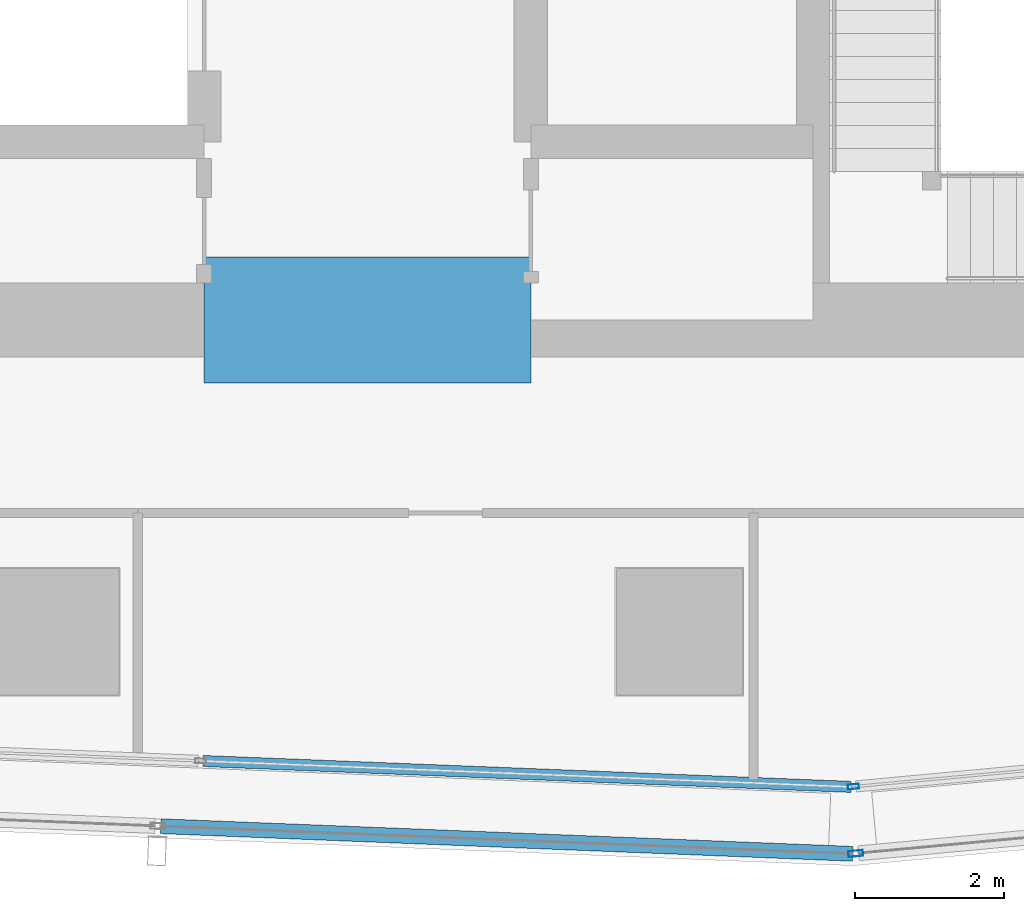
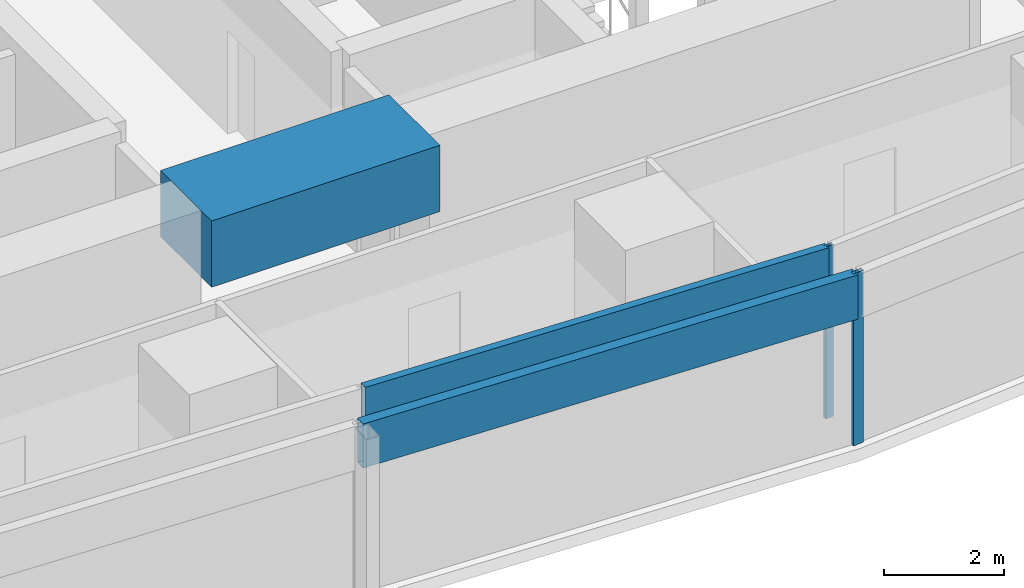
# One storey, part 10 of 39: 4 members, 1 beam, 4 elements without a shape of their own.
"""IFC4 building model written with IfcOpenShell, lengths in metres."""

import ifcopenshell
import ifcopenshell.guid

model = None  # the IFC model being written
_history = None  # IfcOwnerHistory: only IFC2X3 demands one
_inside = {}  # id of a spatial element -> (the spatial element, [elements in it])
_under = {}  # id of a project, library or spatial element -> (it, [spatial elements below it])
_declared = {}  # id of a project -> (the project, [libraries it declares])
_typed = {}  # id of a type object -> (the type object, [elements of that type])
_made_of = {}  # id of a material, layer set ... -> (it, [elements and type objects made of it])


def new_model(schema):
    """Start an empty IFC model of exactly this schema.

    Asked for "IFC4X3", IfcOpenShell would pick the latest addendum, in which some entities
    have other attributes; the version numbers below select the first issue.
    IFC2X3 requires an IfcOwnerHistory on every rooted entity: one is made here for all.
    """
    global model, _history
    if schema == "IFC4X3":
        model = ifcopenshell.file(schema_version=(4, 3, 0, 0))
    else:
        model = ifcopenshell.file(schema=schema)
    _inside.clear()
    _under.clear()
    _declared.clear()
    _typed.clear()
    _made_of.clear()
    _history = None
    if model.schema == "IFC2X3":
        org = make("IfcOrganization", Name="unknown")
        user = make(
            "IfcPersonAndOrganization",
            ThePerson=make("IfcPerson", FamilyName="unknown"),
            TheOrganization=org,
        )
        app = make(
            "IfcApplication",
            ApplicationDeveloper=org,
            Version="unknown",
            ApplicationFullName="unknown",
            ApplicationIdentifier="unknown",
        )
        _history = make(
            "IfcOwnerHistory",
            OwningUser=user,
            OwningApplication=app,
            ChangeAction="ADDED",
            CreationDate=0,
        )
    return model


def make(cls, **values):
    """One entity of the class cls with the attributes given. An attribute that is None is left unset."""
    return model.create_entity(
        cls, **{name: value for name, value in values.items() if value is not None}
    )


def rooted(cls, **values):
    """An entity with a GlobalId (a new one), such as an element, a storey or a relation."""
    return make(cls, GlobalId=ifcopenshell.guid.new(), OwnerHistory=_history, **values)


def si_unit(unit_type, name, prefix=None):
    """IfcSIUnit, for example si_unit("LENGTHUNIT", "METRE", prefix="MILLI")."""
    return make("IfcSIUnit", UnitType=unit_type, Prefix=prefix, Name=name)


def assignment(units):
    """IfcUnitAssignment: the units of a project."""
    return None if units is None else make("IfcUnitAssignment", Units=units)


def point(xyz):
    """IfcCartesianPoint."""
    return None if xyz is None else make("IfcCartesianPoint", Coordinates=xyz)


def direction(xyz):
    """IfcDirection."""
    return None if xyz is None else make("IfcDirection", DirectionRatios=xyz)


def frame(location, z_axis=None, x_axis=None):
    """IfcAxis2Placement3D, a coordinate frame: its origin and axes. An axis left out is left unset."""
    return make(
        "IfcAxis2Placement3D",
        Location=point(location),
        Axis=direction(z_axis),
        RefDirection=direction(x_axis),
    )


def frame_2d(location, x_axis=None):
    """IfcAxis2Placement2D, a coordinate frame in the plane: its origin and x axis."""
    return make(
        "IfcAxis2Placement2D", Location=point(location), RefDirection=direction(x_axis)
    )


def origin():
    """The frame at (0, 0, 0) with its axes left unset."""
    return frame((0.0, 0.0, 0.0))


def origin_2d():
    """The frame at (0, 0) in the plane with its x axis left unset."""
    return frame_2d((0.0, 0.0))


def place(relative_to, where):
    """IfcLocalPlacement: puts the frame where relative to a parent placement (None: the world)."""
    return make(
        "IfcLocalPlacement", PlacementRelTo=relative_to, RelativePlacement=where
    )


def context(
    kind, dimensions, precision=None, world=None, true_north=None, identifier=None
):
    """IfcGeometricRepresentationContext, for example the 3D "Model" context."""
    return make(
        "IfcGeometricRepresentationContext",
        ContextIdentifier=identifier,
        ContextType=kind,
        CoordinateSpaceDimension=dimensions,
        Precision=precision,
        WorldCoordinateSystem=world,
        TrueNorth=true_north,
    )


def subcontext(parent, identifier, kind, view, scale=None):
    """IfcGeometricRepresentationSubContext, for example "Body" below "Model"."""
    return make(
        "IfcGeometricRepresentationSubContext",
        ContextIdentifier=identifier,
        ContextType=kind,
        ParentContext=parent,
        TargetScale=scale,
        TargetView=view,
    )


def project(units=None, contexts=None):
    """IfcProject with its units and contexts."""
    return rooted(
        "IfcProject",
        Name="project",
        RepresentationContexts=contexts,
        UnitsInContext=assignment(units),
    )


def spatial(cls, under=None, at=None, **own):
    """A site, building, storey or space (cls), placed at a placement, below another one or the project."""
    s = rooted(cls, ObjectPlacement=at, **own)
    if under is not None:
        _under.setdefault(under.id(), (under, []))[1].append(s)
    return s


def profile(cls, at=None, kind="AREA", **sizes):
    """A parametric profile (cls). Its sizes go by their IFC names, for example OverallWidth=200.0."""
    return make(cls, ProfileType=kind, Position=at, **sizes)


def rectangle(**sizes):
    """IfcRectangleProfileDef."""
    return profile("IfcRectangleProfileDef", **sizes)


def hollow_rectangle(**sizes):
    """IfcRectangleHollowProfileDef."""
    return profile("IfcRectangleHollowProfileDef", **sizes)


def extrude(swept, where, along, depth):
    """IfcExtrudedAreaSolid: the profile swept, set in the frame where, extruded along a direction by depth."""
    return make(
        "IfcExtrudedAreaSolid",
        SweptArea=swept,
        Position=where,
        ExtrudedDirection=direction(along),
        Depth=depth,
    )


def shape(context_of_items, identifier, shape_type, items):
    """IfcShapeRepresentation: the items that make up one representation, for example the "Body"."""
    return make(
        "IfcShapeRepresentation",
        ContextOfItems=context_of_items,
        RepresentationIdentifier=identifier,
        RepresentationType=shape_type,
        Items=items,
    )


def material(Name=None, Category=None):
    """IfcMaterial."""
    return make("IfcMaterial", Name=Name, Category=Category)


def material_profile(
    of_material, cross_section, Name=None, Category=None, Priority=None
):
    """IfcMaterialProfile: a cross section and its material."""
    return make(
        "IfcMaterialProfile",
        Name=Name,
        Material=of_material,
        Profile=cross_section,
        Priority=Priority,
        Category=Category,
    )


def profile_set(profiles, Name=None, composite=None):
    """IfcMaterialProfileSet."""
    return make(
        "IfcMaterialProfileSet",
        Name=Name,
        MaterialProfiles=profiles,
        CompositeProfile=composite,
    )


def made_of(thing, what):
    """Note that an element or type object is made of a material, layer set ...; save() writes the relation."""
    if what is not None:
        _made_of.setdefault(what.id(), (what, []))[1].append(thing)
    return thing


def type_object(cls, material=None, **own):
    """A type object (cls), such as IfcWallType, which elements share."""
    return made_of(rooted(cls, **own), material)


def element(
    cls,
    number,
    at=None,
    inside=None,
    cuts=None,
    type_object=None,
    material=None,
    context=None,
    identifier="Body",
    shape_type=None,
    held_by="IfcProductDefinitionShape",
    body=None,
    shapes=None,
    **own,
):
    """One element of the class cls, such as IfcWall. Its Tag is "e" and its number.

    at: its placement. inside: the storey or other place that contains it. cuts: it is an
    opening in that element (IfcRelVoidsElement). A single representation is given by context,
    identifier, shape_type and body (its items); several are given by shapes. held_by: the class
    of the entity that holds the representations. save() writes the other relations.
    """
    e = rooted(cls, Tag="e%d" % number, ObjectPlacement=at, **own)
    if body is not None:
        shapes = [shape(context, identifier, shape_type, body)]
    if shapes is not None:
        e.Representation = make(held_by, Representations=shapes)
    if inside is not None:
        _inside.setdefault(inside.id(), (inside, []))[1].append(e)
    if cuts is not None:
        rooted(
            "IfcRelVoidsElement", RelatingBuildingElement=cuts, RelatedOpeningElement=e
        )
    if type_object is not None:
        _typed.setdefault(type_object.id(), (type_object, []))[1].append(e)
    return made_of(e, material)


def aggregate(whole, parts):
    """IfcRelAggregates: a whole, such as a stair, and the parts it consists of."""
    return rooted("IfcRelAggregates", RelatingObject=whole, RelatedObjects=parts)


def save(model, path):
    """Write the relations noted so far, then the file.

    IfcRelAggregates (storeys below a building ...), IfcRelContainedInSpatialStructure (elements
    in a storey), IfcRelDefinesByType, IfcRelAssociatesMaterial and IfcRelDeclares: one each for
    every whole, place, type object, material and project.
    """
    for whole, parts in _under.values():
        aggregate(whole, parts)
    for where, things in _inside.values():
        rooted(
            "IfcRelContainedInSpatialStructure",
            RelatedElements=things,
            RelatingStructure=where,
        )
    for kind, things in _typed.values():
        rooted("IfcRelDefinesByType", RelatedObjects=things, RelatingType=kind)
    for what, things in _made_of.values():
        rooted("IfcRelAssociatesMaterial", RelatedObjects=things, RelatingMaterial=what)
    for by, libraries in _declared.values():
        rooted("IfcRelDeclares", RelatingContext=by, RelatedDefinitions=libraries)
    model.write(path)


model = new_model("IFC4")

# Units and contexts
model_context = context("Model", 3, precision=1e-05, world=origin(), true_north=direction((0.0, 1.0)))
body_context = subcontext(model_context, "Body", "Model", "MODEL_VIEW")
ifc_project = project(units=[si_unit("LENGTHUNIT", "METRE"), si_unit("AREAUNIT", "SQUARE_METRE"), si_unit("VOLUMEUNIT", "CUBIC_METRE"), si_unit("PLANEANGLEUNIT", "RADIAN"), si_unit("MASSUNIT", "GRAM", prefix="KILO")], contexts=[model_context])

# Site, building, storey
site_placement = place(None, origin())
site = spatial("IfcSite", under=ifc_project, at=site_placement, CompositionType="ELEMENT")
building_placement = place(site_placement, origin())
building = spatial("IfcBuilding", under=site, at=building_placement, Name="Rekha Terrace Tower", CompositionType="ELEMENT")
storey_placement = place(building_placement, frame((0.0, 0.0, 180.199951171875)))
storey = spatial("IfcBuildingStorey", under=building, at=storey_placement, Name="L45", CompositionType="ELEMENT", Elevation=180.199951171875)

# Curtain wall, member
ifc_material_1 = material(Name="Aluminium framing", Category="aluminium")
curtain_wall_type_1 = type_object("IfcCurtainWallType", Name="CW1 double skin inner glazing", PredefinedType="USERDEFINED", material=ifc_material_1)
curtain_wall_1_placement = place(storey_placement, origin())
curtain_wall_1 = element("IfcCurtainWall", 1, at=curtain_wall_1_placement, inside=storey, type_object=curtain_wall_type_1, Name="CW1 double skin inner glazing", ObjectType="DOUBLE SKIN INNER GLAZING", PredefinedType="USERDEFINED")
ifc_material_2 = material(Name="Aluminium mullion section", Category="aluminium")
ifc_material_profile_1 = material_profile(ifc_material_2, hollow_rectangle(XDim=0.06494140625, YDim=0.14990234375, WallThickness=0.00390625, at=origin_2d()), Name="AL RHS 65x150")
ifc_profile_set_1 = profile_set([ifc_material_profile_1], Name="Aluminium mullion section")
member_type_1 = type_object("IfcMemberType", Name="CW1 mullion RHS 65 x 150", PredefinedType="MULLION", material=ifc_profile_set_1)
member_1_placement = place(storey_placement, frame((44.34423828125, 14.715087890625, 0.0), z_axis=(0.0, 0.0, 1.0), x_axis=(-0.092708869529, 0.995693258745, 0.0)))
member_1 = element("IfcMember", 2, at=member_1_placement, type_object=member_type_1, Name="CW1 mullion 1", PredefinedType="MULLION", context=body_context, shape_type="SweptSolid", body=[
    extrude(hollow_rectangle(XDim=0.06494140625, YDim=0.14990234375, WallThickness=0.00390625, at=origin_2d()), origin(), (0.0, 0.0, 1.0), 3.5),
])
aggregate(curtain_wall_1, [member_1])

curtain_wall_2_placement = place(storey_placement, origin())
curtain_wall_2 = element("IfcCurtainWall", 3, at=curtain_wall_2_placement, inside=storey, type_object=curtain_wall_type_1, Name="CW1 double skin inner glazing", ObjectType="DOUBLE SKIN INNER GLAZING", PredefinedType="USERDEFINED")
ifc_material_3 = material(Name="Insulated aluminium spandrel box", Category="aluminium")
ifc_material_profile_2 = material_profile(ifc_material_3, hollow_rectangle(XDim=0.14990234375, YDim=0.89990234375, WallThickness=0.0029296875, at=origin_2d()), Name="AL SPANDREL BOX 150x900")
ifc_profile_set_2 = profile_set([ifc_material_profile_2], Name="Insulated aluminium spandrel box")
member_type_2 = type_object("IfcMemberType", Name="CW1 spandrel transom 150 x 900", PredefinedType="USERDEFINED", material=ifc_profile_set_2)
member_2_placement = place(storey_placement, frame((35.584716796875, 15.060302734375, 3.050048828125), z_axis=(0.999204125954, -0.039888778821, 0.0), x_axis=(0.039888778821, 0.999204125954, 0.0)))
member_2 = element("IfcMember", 4, at=member_2_placement, type_object=member_type_2, Name="CW1 spandrel transom 4", ObjectType="TRANSOM", PredefinedType="USERDEFINED", context=body_context, shape_type="SweptSolid", body=[
    extrude(hollow_rectangle(XDim=0.14990234375, YDim=0.89990234375, WallThickness=0.0029296875, at=origin_2d()), origin(), (0.0, 0.0, 1.0), 8.73388671875),
])
aggregate(curtain_wall_2, [member_2])

curtain_wall_type_2 = type_object("IfcCurtainWallType", Name="CW2 double skin outer glazing", PredefinedType="USERDEFINED", material=ifc_material_1)
curtain_wall_3_placement = place(storey_placement, origin())
curtain_wall_3 = element("IfcCurtainWall", 5, at=curtain_wall_3_placement, inside=storey, type_object=curtain_wall_type_2, Name="CW2 double skin outer glazing", ObjectType="DOUBLE SKIN OUTER GLAZING", PredefinedType="USERDEFINED")
ifc_material_profile_3 = material_profile(ifc_material_2, hollow_rectangle(XDim=0.080078125, YDim=0.199951171875, WallThickness=0.00390625, at=origin_2d()), Name="AL RHS 80x200")
ifc_profile_set_3 = profile_set([ifc_material_profile_3], Name="Aluminium mullion section")
member_type_3 = type_object("IfcMemberType", Name="CW2 mullion RHS 80 x 200", PredefinedType="MULLION", material=ifc_profile_set_3)
member_3_placement = place(storey_placement, frame((44.37548828125, 13.81396484375, 0.0), z_axis=(0.0, 0.0, 1.0), x_axis=(-0.092708869512, 0.995693258747, 0.0)))
member_3 = element("IfcMember", 6, at=member_3_placement, type_object=member_type_3, Name="CW2 mullion 1", PredefinedType="MULLION", context=body_context, shape_type="SweptSolid", body=[
    extrude(hollow_rectangle(XDim=0.080078125, YDim=0.199951171875, WallThickness=0.00390625, at=origin_2d()), origin(), (0.0, 0.0, 1.0), 3.5),
])
aggregate(curtain_wall_3, [member_3])

curtain_wall_4_placement = place(storey_placement, origin())
curtain_wall_4 = element("IfcCurtainWall", 7, at=curtain_wall_4_placement, inside=storey, type_object=curtain_wall_type_2, Name="CW2 double skin outer glazing", ObjectType="DOUBLE SKIN OUTER GLAZING", PredefinedType="USERDEFINED")
ifc_material_profile_4 = material_profile(ifc_material_3, hollow_rectangle(XDim=0.199951171875, YDim=0.89990234375, WallThickness=0.0029296875, at=origin_2d()), Name="AL SPANDREL BOX 200x900")
ifc_profile_set_4 = profile_set([ifc_material_profile_4], Name="Insulated aluminium spandrel box")
member_type_4 = type_object("IfcMemberType", Name="CW2 spandrel transom 200 x 900", PredefinedType="USERDEFINED", material=ifc_profile_set_4)
member_4_placement = place(storey_placement, frame((35.01708984375, 14.18212890625, 3.050048828125), z_axis=(0.999204884837, -0.039869764458, 0.0), x_axis=(0.039869764458, 0.999204884837, 0.0)))
member_4 = element("IfcMember", 8, at=member_4_placement, type_object=member_type_4, Name="CW2 spandrel transom 4", ObjectType="TRANSOM", PredefinedType="USERDEFINED", context=body_context, shape_type="SweptSolid", body=[
    extrude(hollow_rectangle(XDim=0.199951171875, YDim=0.89990234375, WallThickness=0.0029296875, at=origin_2d()), origin(), (0.0, 0.0, 1.0), 9.325927734375),
])
aggregate(curtain_wall_4, [member_4])

# Beam
ifc_material_4 = material(Name="Concrete M60", Category="concrete")
ifc_material_profile_5 = material_profile(ifc_material_4, rectangle(XDim=1.699951171875, YDim=1.35009765625, at=origin_2d()), Name="RC 1700x1350")
ifc_profile_set_5 = profile_set([ifc_material_profile_5], Name="Concrete M60")
beam_type = type_object("IfcBeamType", Name="LB3A 1700x1350 diagonally reinforced coupling beam", PredefinedType="LINTEL", material=ifc_profile_set_5)
beam_placement = place(storey_placement, frame((35.60009765625, 21.0, 3.074951171875), z_axis=(1.0, 0.0, 0.0), x_axis=(0.0, 1.0, 0.0)))
element("IfcBeam", 9, at=beam_placement, inside=storey, type_object=beam_type, Name="Coupling beam LB3A S L45", PredefinedType="LINTEL", context=body_context, shape_type="SweptSolid", body=[
    extrude(rectangle(XDim=1.699951171875, YDim=1.35009765625, at=origin_2d()), origin(), (0.0, 0.0, 1.0), 4.39990234375),
])

save(model, "model.ifc")
